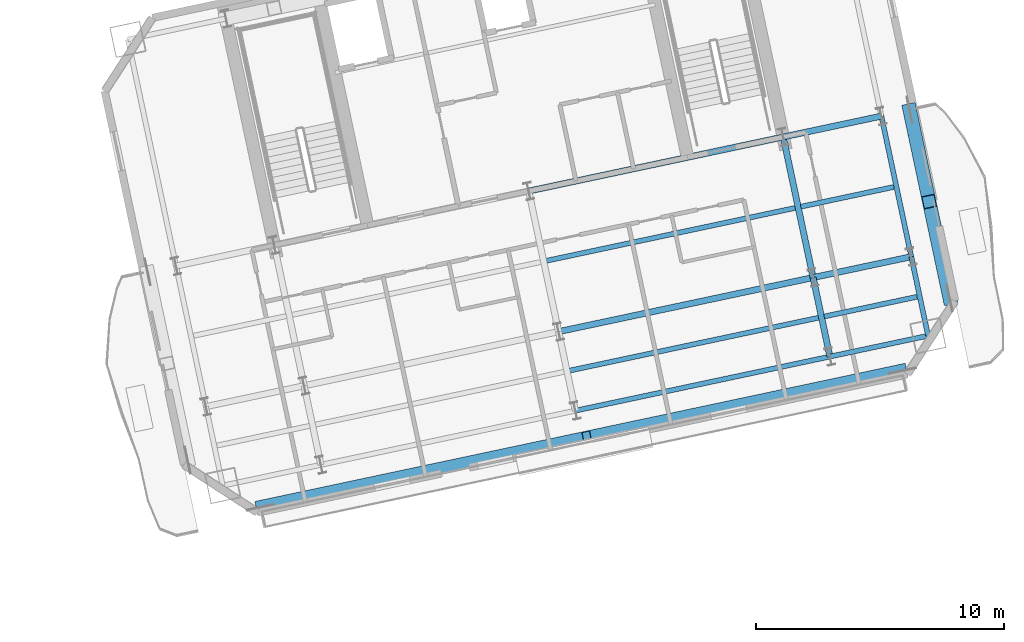
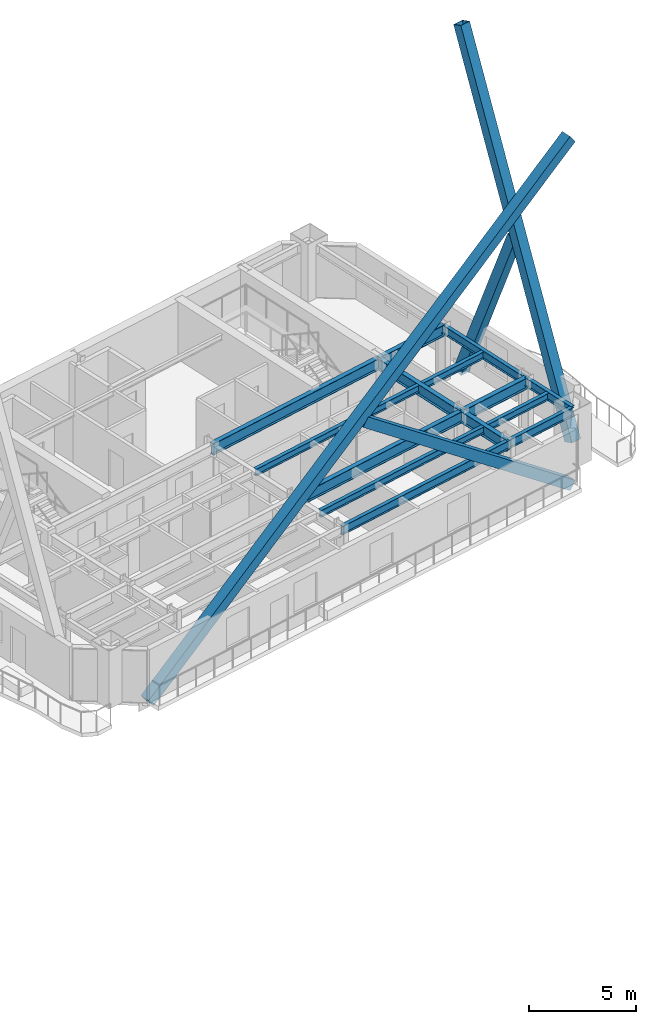
# One storey, part 6 of 19: 14 beams, 4 members.
"""IFC4 building model written with IfcOpenShell, lengths in metres."""

from ifc_helpers import new_model, si_unit, direction, frame, origin, origin_2d, place, context, subcontext, project, spatial, hollow_rectangle, i_section, extrude, material, material_profile, profile_set, type_object, element, save


model = new_model("IFC4")

# Units and contexts
model_context = context("Model", 3, precision=1e-05, world=origin(), true_north=direction((0.0, 1.0)))
body_context = subcontext(model_context, "Body", "Model", "MODEL_VIEW")
ifc_project = project(units=[si_unit("LENGTHUNIT", "METRE"), si_unit("AREAUNIT", "SQUARE_METRE"), si_unit("VOLUMEUNIT", "CUBIC_METRE"), si_unit("PLANEANGLEUNIT", "RADIAN"), si_unit("MASSUNIT", "GRAM", prefix="KILO")], contexts=[model_context])

# Site, building, storey
site_placement = place(None, origin())
site = spatial("IfcSite", under=ifc_project, at=site_placement, CompositionType="ELEMENT")
building_placement = place(site_placement, origin())
building = spatial("IfcBuilding", under=site, at=building_placement, Name="Haevon Station Towers", CompositionType="ELEMENT")
storey_placement = place(building_placement, frame((0.0, 0.0, 156.0)))
storey = spatial("IfcBuildingStorey", under=building, at=storey_placement, Name="L42", CompositionType="ELEMENT", Elevation=156.0)

# Beams
ifc_material_1 = material(Name="Steel S355", Category="steel")
ifc_material_profile_1 = material_profile(ifc_material_1, i_section(OverallWidth=0.25, OverallDepth=0.64990234375, WebThickness=0.012939453125, FlangeThickness=0.02197265625, at=origin_2d()), Name="H-650x250x13x22")
ifc_profile_set_1 = profile_set([ifc_material_profile_1], Name="Steel S355")
beam_type_1 = type_object("IfcBeamType", Name="BM-G650", PredefinedType="BEAM", material=ifc_profile_set_1)
beam_1_placement = place(storey_placement, frame((110.228759765625, 33.9521484375, 2.72509765625), z_axis=(0.978146794194, 0.207915485254, 0.0), x_axis=(-0.207915485254, 0.978146794194, 0.0)))
element("IfcBeam", 1, at=beam_1_placement, inside=storey, type_object=beam_type_1, Name="BM-T2U-L42-02-03", PredefinedType="BEAM", context=body_context, shape_type="SweptSolid", body=[
    extrude(i_section(OverallWidth=0.25, OverallDepth=0.64990234375, WebThickness=0.012939453125, FlangeThickness=0.02197265625, at=origin_2d()), origin(), (0.0, 0.0, 1.0), 10.5),
])
beam_2_placement = place(storey_placement, frame((120.499267578125, 36.13525390625, 2.72509765625), z_axis=(0.978149504816, 0.207902732613, 0.0), x_axis=(-0.207902732613, 0.978149504816, 0.0)))
element("IfcBeam", 2, at=beam_2_placement, inside=storey, type_object=beam_type_1, Name="BM-T2U-L42-02-04", PredefinedType="BEAM", context=body_context, shape_type="SweptSolid", body=[
    extrude(i_section(OverallWidth=0.25, OverallDepth=0.64990234375, WebThickness=0.012939453125, FlangeThickness=0.02197265625, at=origin_2d()), origin(), (0.0, 0.0, 1.0), 4.050048828125),
])
beam_3_placement = place(storey_placement, frame((109.02294921875, 39.62548828125, 2.72509765625), z_axis=(0.978146794194, 0.207915485254, 0.0), x_axis=(-0.207915485254, 0.978146794194, 0.0)))
element("IfcBeam", 3, at=beam_3_placement, inside=storey, type_object=beam_type_1, Name="BM-T2U-L42-03-03", PredefinedType="BEAM", context=body_context, shape_type="SweptSolid", body=[
    extrude(i_section(OverallWidth=0.25, OverallDepth=0.64990234375, WebThickness=0.012939453125, FlangeThickness=0.02197265625, at=origin_2d()), origin(), (0.0, 0.0, 1.0), 10.5),
])
beam_4_placement = place(storey_placement, frame((119.29345703125, 41.80859375, 2.72509765625), z_axis=(0.978146899108, 0.207914991681, 0.0), x_axis=(-0.207914991681, 0.978146899108, 0.0)))
element("IfcBeam", 4, at=beam_4_placement, inside=storey, type_object=beam_type_1, Name="BM-T2U-L42-03-04", PredefinedType="BEAM", context=body_context, shape_type="SweptSolid", body=[
    extrude(i_section(OverallWidth=0.25, OverallDepth=0.64990234375, WebThickness=0.012939453125, FlangeThickness=0.02197265625, at=origin_2d()), origin(), (0.0, 0.0, 1.0), 4.050048828125),
])
beam_5_placement = place(storey_placement, frame((121.17724609375, 32.946533203125, 2.72509765625), z_axis=(-0.207968922755, 0.97813543396, 0.0), x_axis=(-0.97813543396, -0.207968922755, 0.0)))
element("IfcBeam", 5, at=beam_5_placement, inside=storey, type_object=beam_type_1, Name="BM-T2V-L42-04-01", PredefinedType="BEAM", context=body_context, shape_type="SweptSolid", body=[
    extrude(i_section(OverallWidth=0.25, OverallDepth=0.64990234375, WebThickness=0.012939453125, FlangeThickness=0.02197265625, at=origin_2d()), origin(), (0.0, 0.0, 1.0), 3.260009765625),
])
beam_6_placement = place(storey_placement, frame((120.499267578125, 36.13525390625, 2.72509765625), z_axis=(-0.207896009217, 0.97815093383, 0.0), x_axis=(-0.97815093383, -0.207896009217, 0.0)))
element("IfcBeam", 6, at=beam_6_placement, inside=storey, type_object=beam_type_1, Name="BM-T2V-L42-04-02", PredefinedType="BEAM", context=body_context, shape_type="SweptSolid", body=[
    extrude(i_section(OverallWidth=0.25, OverallDepth=0.64990234375, WebThickness=0.012939453125, FlangeThickness=0.02197265625, at=origin_2d()), origin(), (0.0, 0.0, 1.0), 5.800048828125),
])
ifc_material_profile_2 = material_profile(ifc_material_1, i_section(OverallWidth=0.199951171875, OverallDepth=0.39990234375, WebThickness=0.008056640625, FlangeThickness=0.012939453125, at=origin_2d()), Name="H-400x200x8x13")
ifc_profile_set_2 = profile_set([ifc_material_profile_2], Name="Steel S355")
beam_type_2 = type_object("IfcBeamType", Name="BM-J400", PredefinedType="JOIST", material=ifc_profile_set_2)
beam_7_placement = place(storey_placement, frame((110.67529296875, 32.380615234375, 2.85009765625), z_axis=(0.978145509903, 0.207921527161, 0.0), x_axis=(-0.207921527161, 0.978145509903, 0.0)))
element("IfcBeam", 7, at=beam_7_placement, inside=storey, type_object=beam_type_2, Name="BM-T2J-L42-01-03", PredefinedType="JOIST", context=body_context, shape_type="SweptSolid", body=[
    extrude(i_section(OverallWidth=0.199951171875, OverallDepth=0.39990234375, WebThickness=0.008056640625, FlangeThickness=0.012939453125, at=origin_2d()), origin(), (0.0, 0.0, 1.0), 10.280029296875),
])
beam_8_placement = place(storey_placement, frame((120.94580078125, 34.563720703125, 2.85009765625), z_axis=(0.97814345794, 0.207931180176, 0.0), x_axis=(-0.207931180176, 0.97814345794, 0.0)))
element("IfcBeam", 8, at=beam_8_placement, inside=storey, type_object=beam_type_2, Name="BM-T2J-L42-01-04", PredefinedType="JOIST", context=body_context, shape_type="SweptSolid", body=[
    extrude(i_section(OverallWidth=0.199951171875, OverallDepth=0.39990234375, WebThickness=0.008056640625, FlangeThickness=0.012939453125, at=origin_2d()), origin(), (0.0, 0.0, 1.0), 3.830078125),
])
beam_9_placement = place(storey_placement, frame((109.7333984375, 36.811767578125, 2.85009765625), z_axis=(0.978150339653, 0.207898804801, 0.0), x_axis=(-0.207898804801, 0.978150339653, 0.0)))
element("IfcBeam", 9, at=beam_9_placement, inside=storey, type_object=beam_type_2, Name="BM-T2J-L42-02-03", PredefinedType="JOIST", context=body_context, shape_type="SweptSolid", body=[
    extrude(i_section(OverallWidth=0.199951171875, OverallDepth=0.39990234375, WebThickness=0.008056640625, FlangeThickness=0.012939453125, at=origin_2d()), origin(), (0.0, 0.0, 1.0), 10.280029296875),
])
beam_10_placement = place(storey_placement, frame((120.00390625, 38.994873046875, 2.85009765625), z_axis=(0.978156420772, 0.207870191472, 0.0), x_axis=(-0.207870191472, 0.978156420772, 0.0)))
element("IfcBeam", 10, at=beam_10_placement, inside=storey, type_object=beam_type_2, Name="BM-T2J-L42-02-04", PredefinedType="JOIST", context=body_context, shape_type="SweptSolid", body=[
    extrude(i_section(OverallWidth=0.199951171875, OverallDepth=0.39990234375, WebThickness=0.008056640625, FlangeThickness=0.012939453125, at=origin_2d()), origin(), (0.0, 0.0, 1.0), 3.830078125),
])
ifc_material_profile_3 = material_profile(ifc_material_1, i_section(OverallWidth=0.199951171875, OverallDepth=0.5, WebThickness=0.010009765625, FlangeThickness=0.01611328125, at=origin_2d()), Name="H-500x200x10x16")
ifc_profile_set_3 = profile_set([ifc_material_profile_3], Name="Steel S355")
beam_type_3 = type_object("IfcBeamType", Name="BM-SP500", PredefinedType="SPANDREL", material=ifc_profile_set_3)
beam_11_placement = place(storey_placement, frame((110.906494140625, 30.763427734375, 2.800048828125), z_axis=(0.978147799298, 0.207910756646, 0.0), x_axis=(-0.207910756646, 0.978147799298, 0.0)))
element("IfcBeam", 11, at=beam_11_placement, inside=storey, type_object=beam_type_3, Name="BM-T2U-L42-01-03", PredefinedType="SPANDREL", context=body_context, shape_type="SweptSolid", body=[
    extrude(i_section(OverallWidth=0.199951171875, OverallDepth=0.5, WebThickness=0.010009765625, FlangeThickness=0.01611328125, at=origin_2d()), origin(), (0.0, 0.0, 1.0), 10.500244140625),
])
beam_12_placement = place(storey_placement, frame((121.17724609375, 32.946533203125, 2.800048828125), z_axis=(0.978146899108, 0.207914991681, 0.0), x_axis=(-0.207914991681, 0.978146899108, 0.0)))
element("IfcBeam", 12, at=beam_12_placement, inside=storey, type_object=beam_type_3, Name="BM-T2U-L42-01-04", PredefinedType="SPANDREL", context=body_context, shape_type="SweptSolid", body=[
    extrude(i_section(OverallWidth=0.199951171875, OverallDepth=0.5, WebThickness=0.010009765625, FlangeThickness=0.01611328125, at=origin_2d()), origin(), (0.0, 0.0, 1.0), 4.050048828125),
])
beam_13_placement = place(storey_placement, frame((125.138671875, 33.78857421875, 2.800048828125), z_axis=(-0.207897270364, 0.978150665785, 0.0), x_axis=(-0.978150665785, -0.207897270364, 0.0)))
element("IfcBeam", 13, at=beam_13_placement, inside=storey, type_object=beam_type_3, Name="BM-T2V-L42-05-01", PredefinedType="SPANDREL", context=body_context, shape_type="SweptSolid", body=[
    extrude(i_section(OverallWidth=0.199951171875, OverallDepth=0.5, WebThickness=0.010009765625, FlangeThickness=0.01611328125, at=origin_2d()), origin(), (0.0, 0.0, 1.0), 3.260009765625),
])
beam_14_placement = place(storey_placement, frame((124.4609375, 36.977294921875, 2.800048828125), z_axis=(-0.207936282142, 0.978142373363, 0.0), x_axis=(-0.978142373363, -0.207936282142, 0.0)))
element("IfcBeam", 14, at=beam_14_placement, inside=storey, type_object=beam_type_3, Name="BM-T2V-L42-05-02", PredefinedType="SPANDREL", context=body_context, shape_type="SweptSolid", body=[
    extrude(i_section(OverallWidth=0.199951171875, OverallDepth=0.5, WebThickness=0.010009765625, FlangeThickness=0.01611328125, at=origin_2d()), origin(), (0.0, 0.0, 1.0), 5.800048828125),
])

# Members
ifc_material_2 = material(Name="Steel S460", Category="steel")
ifc_material_profile_4 = material_profile(ifc_material_2, hollow_rectangle(XDim=0.550048828125, YDim=0.550048828125, WallThickness=0.028076171875, at=origin_2d()), Name="RHS-550x550x28")
ifc_profile_set_4 = profile_set([ifc_material_profile_4], Name="Steel S460")
member_type = type_object("IfcMemberType", Name="MB-550", PredefinedType="BRACE", material=ifc_profile_set_4)
member_1_placement = place(storey_placement, frame((98.189453125, 26.8642578125, -0.1201171875), z_axis=(0.784006765237, 0.166641682092, 0.597966505627), x_axis=(-0.207906796359, 0.97814864107, 0.0)))
element("IfcMember", 15, at=member_1_placement, inside=storey, type_object=member_type, Name="BR-T2MB-T06-S-D1", PredefinedType="BRACE", context=body_context, shape_type="SweptSolid", body=[
    extrude(hollow_rectangle(XDim=0.550048828125, YDim=0.550048828125, WallThickness=0.028076171875, at=origin_2d()), origin(), (0.0, 0.0, 1.0), 33.06201171875),
])
member_2_placement = place(storey_placement, frame((124.1103515625, 32.373779296875, -0.1201171875), z_axis=(-0.784003070118, -0.166644800948, 0.59797048118), x_axis=(0.207911456883, -0.978147650458, 0.0)))
element("IfcMember", 16, at=member_2_placement, inside=storey, type_object=member_type, Name="BR-T2MB-T06-S-D2A", PredefinedType="BRACE", context=body_context, shape_type="SweptSolid", body=[
    extrude(hollow_rectangle(XDim=0.550048828125, YDim=0.550048828125, WallThickness=0.028076171875, at=origin_2d()), origin(), (0.0, 0.0, 1.0), 16.244384765625),
])
member_3_placement = place(storey_placement, frame((126.0126953125, 35.303466796875, -0.1201171875), z_axis=(-0.075960595445, 0.35738724461, 0.930862151626), x_axis=(-0.978150054448, -0.207900146664, 0.0)))
element("IfcMember", 17, at=member_3_placement, inside=storey, type_object=member_type, Name="BR-T2MB-T06-E-D1", PredefinedType="BRACE", context=body_context, shape_type="SweptSolid", body=[
    extrude(hollow_rectangle(XDim=0.550048828125, YDim=0.550048828125, WallThickness=0.028076171875, at=origin_2d()), origin(), (0.0, 0.0, 1.0), 21.23828125),
])
member_4_placement = place(storey_placement, frame((124.3994140625, 42.893798828125, -0.1201171875), z_axis=(0.075966996325, -0.357387502152, 0.930861530398), x_axis=(0.978146522194, 0.207916764883, 0.0)))
element("IfcMember", 18, at=member_4_placement, inside=storey, type_object=member_type, Name="BR-T2MB-T06-E-D2A", PredefinedType="BRACE", context=body_context, shape_type="SweptSolid", body=[
    extrude(hollow_rectangle(XDim=0.550048828125, YDim=0.550048828125, WallThickness=0.028076171875, at=origin_2d()), origin(), (0.0, 0.0, 1.0), 10.332275390625),
])

save(model, "model.ifc")
